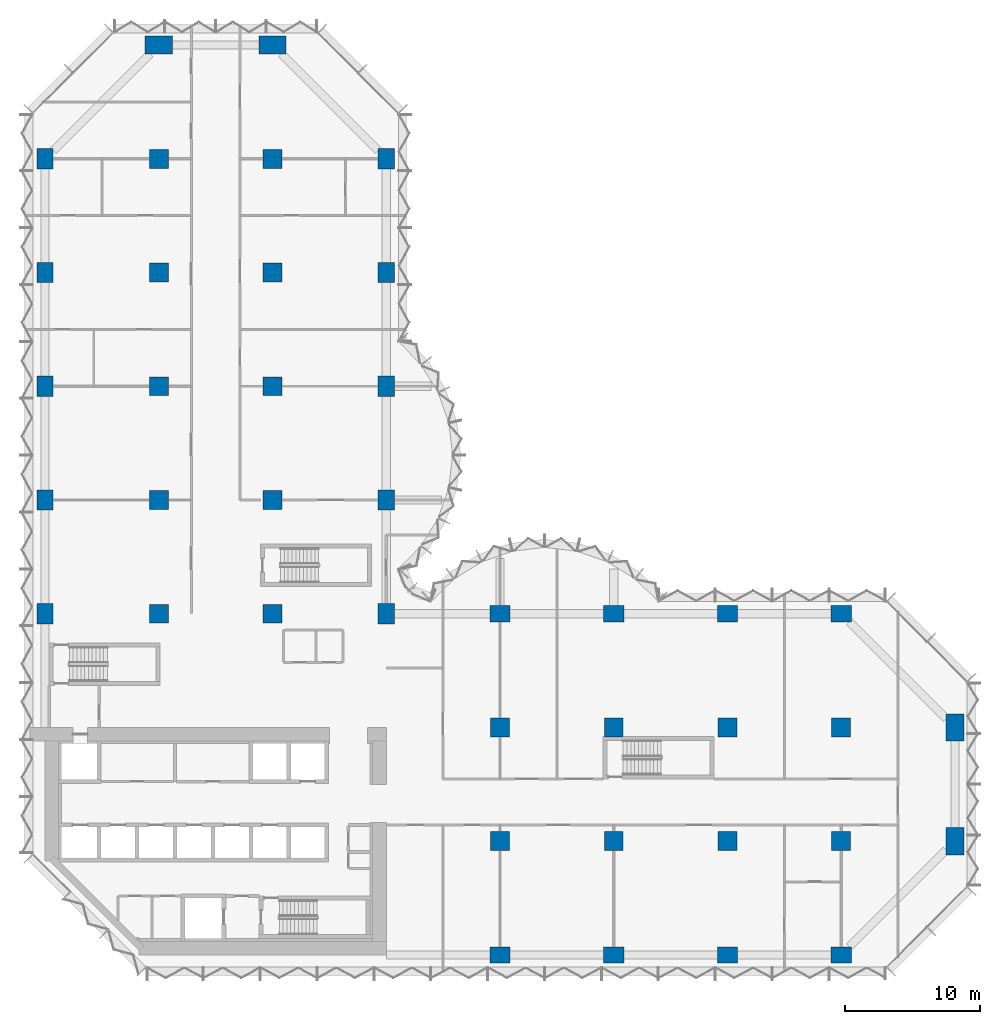
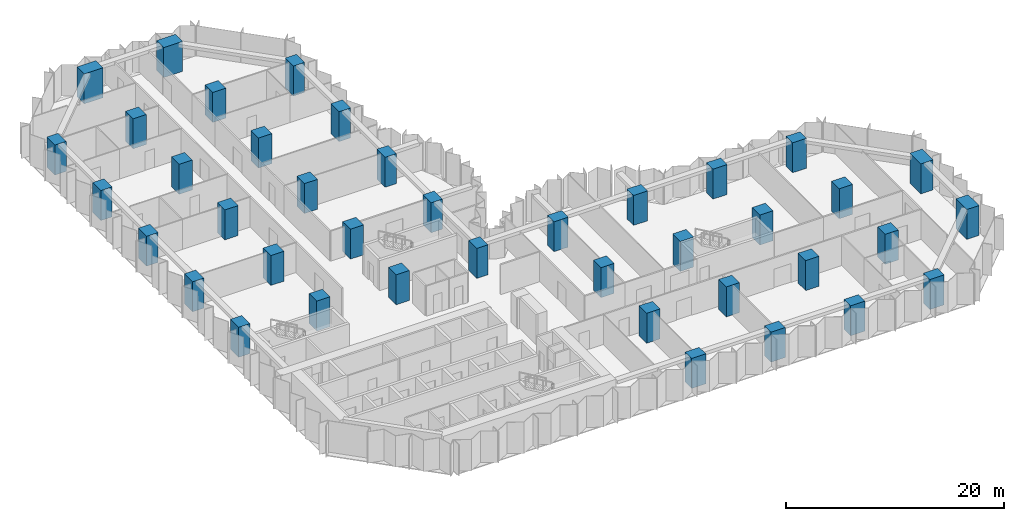
# One storey, part 1 of 15: 40 columns.
"""IFC4 building model written with IfcOpenShell, lengths in metres."""

from ifc_helpers import new_model, si_unit, direction, frame, origin, origin_2d, place, context, subcontext, project, spatial, rectangle, extrude, material, material_profile, profile_set, type_object, element, save


model = new_model("IFC4")

# Units and contexts
model_context = context("Model", 3, precision=1e-05, world=origin(), true_north=direction((0.0, 1.0)))
body_context = subcontext(model_context, "Body", "Model", "MODEL_VIEW")
ifc_project = project(units=[si_unit("LENGTHUNIT", "METRE"), si_unit("AREAUNIT", "SQUARE_METRE"), si_unit("VOLUMEUNIT", "CUBIC_METRE"), si_unit("PLANEANGLEUNIT", "RADIAN"), si_unit("MASSUNIT", "GRAM", prefix="KILO")], contexts=[model_context])

# Site, building, storey
site_placement = place(None, origin())
site = spatial("IfcSite", under=ifc_project, at=site_placement, CompositionType="ELEMENT")
building_placement = place(site_placement, origin())
building = spatial("IfcBuilding", under=site, at=building_placement, Name="Brevane Broadcast Tower", CompositionType="ELEMENT")
storey_placement = place(building_placement, frame((0.0, 0.0, 61.699951171875)))
storey = spatial("IfcBuildingStorey", under=building, at=storey_placement, Name="L13", CompositionType="ELEMENT", Elevation=61.699951171875)

# Columns
ifc_material = material(Name="Concrete C80/95", Category="concrete")
ifc_material_profile_1 = material_profile(ifc_material, rectangle(XDim=1.199951171875, YDim=1.5, at=origin_2d()), Name="RC 1200x1500")
ifc_profile_set_1 = profile_set([ifc_material_profile_1], Name="Concrete C80/95")
column_type_1 = type_object("IfcColumnType", Name="RC COLUMN EDGE 1200x1500 C80/95", PredefinedType="COLUMN", material=ifc_profile_set_1)
for number, where, z_axis, x_axis, name in (
    (1, (0.0, 25.199951171875, 0.0), (0.0, 0.0, 1.0), (1.0, 0.0, 0.0), "CE5 1/D"),
    (2, (0.0, 33.60009765625, 0.0), (0.0, 0.0, 1.0), (1.0, 0.0, 0.0), "CE5 1/E"),
    (3, (0.0, 42.0, 0.0), (0.0, 0.0, 1.0), (1.0, 0.0, 0.0), "CE5 1/F"),
    (4, (0.0, 50.39990234375, 0.0), (0.0, 0.0, 1.0), (1.0, 0.0, 0.0), "CE5 1/G"),
    (5, (0.0, 58.800048828125, 0.0), (0.0, 0.0, 1.0), (1.0, 0.0, 0.0), "CE5 1/H"),
    (6, (25.199951171875, 25.199951171875, 0.0), (0.0, 0.0, 1.0), (1.0, 0.0, 0.0), "CE5 4/D"),
    (7, (25.199951171875, 33.60009765625, 0.0), (0.0, 0.0, 1.0), (1.0, 0.0, 0.0), "CE5 4/E"),
    (8, (25.199951171875, 42.0, 0.0), (0.0, 0.0, 1.0), (1.0, 0.0, 0.0), "CE5 4/F"),
    (9, (25.199951171875, 50.39990234375, 0.0), (0.0, 0.0, 1.0), (1.0, 0.0, 0.0), "CE5 4/G"),
    (10, (25.199951171875, 58.800048828125, 0.0), (0.0, 0.0, 1.0), (1.0, 0.0, 0.0), "CE5 4/H"),
    (11, (33.60009765625, 0.0, 0.0), (0.0, 0.0, 1.0), (0.0, 1.0, 0.0), "CE5 5/A"),
    (12, (33.60009765625, 25.199951171875, 0.0), (0.0, 0.0, 1.0), (0.0, 1.0, 0.0), "CE5 5/D"),
    (13, (42.0, 0.0, 0.0), (0.0, 0.0, 1.0), (0.0, 1.0, 0.0), "CE5 6/A"),
    (14, (42.0, 25.199951171875, 0.0), (0.0, 0.0, 1.0), (0.0, 1.0, 0.0), "CE5 6/D"),
    (15, (50.39990234375, 0.0, 0.0), (0.0, 0.0, 1.0), (0.0, 1.0, 0.0), "CE5 7/A"),
    (16, (50.39990234375, 25.199951171875, 0.0), (0.0, 0.0, 1.0), (0.0, 1.0, 0.0), "CE5 7/D"),
    (17, (58.800048828125, 0.0, 0.0), (0.0, 0.0, 1.0), (0.0, 1.0, 0.0), "CE5 8/A"),
    (18, (58.800048828125, 25.199951171875, 0.0), (0.0, 0.0, 1.0), (0.0, 1.0, 0.0), "CE5 8/D"),
):
    element("IfcColumn", number, at=place(storey_placement, frame(where, z_axis=z_axis, x_axis=x_axis)), inside=storey, type_object=column_type_1, Name=name, PredefinedType="COLUMN", context=body_context, shape_type="SweptSolid", body=[
        extrude(rectangle(XDim=1.199951171875, YDim=1.5, at=origin_2d()), origin(), (0.0, 0.0, 1.0), 3.35009765625),
    ])
ifc_material_profile_2 = material_profile(ifc_material, rectangle(XDim=1.39990234375, YDim=1.39990234375, at=origin_2d()), Name="RC 1400x1400")
ifc_profile_set_2 = profile_set([ifc_material_profile_2], Name="Concrete C80/95")
column_type_2 = type_object("IfcColumnType", Name="RC COLUMN INTERIOR 1400x1400 C80/95", PredefinedType="COLUMN", material=ifc_profile_set_2)
for number, where, z_axis, x_axis, name in (
    (19, (8.39990234375, 25.199951171875, 0.0), (0.0, 0.0, 1.0), (1.0, 0.0, 0.0), "CI6 2/D"),
    (20, (8.39990234375, 33.60009765625, 0.0), (0.0, 0.0, 1.0), (1.0, 0.0, 0.0), "CI6 2/E"),
    (21, (8.39990234375, 42.0, 0.0), (0.0, 0.0, 1.0), (1.0, 0.0, 0.0), "CI6 2/F"),
    (22, (8.39990234375, 50.39990234375, 0.0), (0.0, 0.0, 1.0), (1.0, 0.0, 0.0), "CI6 2/G"),
    (23, (8.39990234375, 58.800048828125, 0.0), (0.0, 0.0, 1.0), (1.0, 0.0, 0.0), "CI6 2/H"),
    (24, (16.800048828125, 25.199951171875, 0.0), (0.0, 0.0, 1.0), (1.0, 0.0, 0.0), "CI6 3/D"),
    (25, (16.800048828125, 33.60009765625, 0.0), (0.0, 0.0, 1.0), (1.0, 0.0, 0.0), "CI6 3/E"),
    (26, (16.800048828125, 42.0, 0.0), (0.0, 0.0, 1.0), (1.0, 0.0, 0.0), "CI6 3/F"),
    (27, (16.800048828125, 50.39990234375, 0.0), (0.0, 0.0, 1.0), (1.0, 0.0, 0.0), "CI6 3/G"),
    (28, (16.800048828125, 58.800048828125, 0.0), (0.0, 0.0, 1.0), (1.0, 0.0, 0.0), "CI6 3/H"),
    (29, (33.60009765625, 8.39990234375, 0.0), (0.0, 0.0, 1.0), (1.0, 0.0, 0.0), "CI6 5/B"),
    (30, (33.60009765625, 16.800048828125, 0.0), (0.0, 0.0, 1.0), (1.0, 0.0, 0.0), "CI6 5/C"),
    (31, (42.0, 8.39990234375, 0.0), (0.0, 0.0, 1.0), (1.0, 0.0, 0.0), "CI6 6/B"),
    (32, (42.0, 16.800048828125, 0.0), (0.0, 0.0, 1.0), (1.0, 0.0, 0.0), "CI6 6/C"),
    (33, (50.39990234375, 8.39990234375, 0.0), (0.0, 0.0, 1.0), (1.0, 0.0, 0.0), "CI6 7/B"),
    (34, (50.39990234375, 16.800048828125, 0.0), (0.0, 0.0, 1.0), (1.0, 0.0, 0.0), "CI6 7/C"),
    (35, (58.800048828125, 8.39990234375, 0.0), (0.0, 0.0, 1.0), (1.0, 0.0, 0.0), "CI6 8/B"),
    (36, (58.800048828125, 16.800048828125, 0.0), (0.0, 0.0, 1.0), (1.0, 0.0, 0.0), "CI6 8/C"),
):
    element("IfcColumn", number, at=place(storey_placement, frame(where, z_axis=z_axis, x_axis=x_axis)), inside=storey, type_object=column_type_2, Name=name, PredefinedType="COLUMN", context=body_context, shape_type="SweptSolid", body=[
        extrude(rectangle(XDim=1.39990234375, YDim=1.39990234375, at=origin_2d()), origin(), (0.0, 0.0, 1.0), 3.35009765625),
    ])
ifc_material_profile_3 = material_profile(ifc_material, rectangle(XDim=1.300048828125, YDim=2.0, at=origin_2d()), Name="RC 1300x2000")
ifc_profile_set_3 = profile_set([ifc_material_profile_3], Name="Concrete C80/95")
column_type_3 = type_object("IfcColumnType", Name="RC COLUMN WING-END 1300x2000 C80/95", PredefinedType="COLUMN", material=ifc_profile_set_3)
for number, where, z_axis, x_axis, name in (
    (37, (8.39990234375, 67.199951171875, 0.0), (0.0, 0.0, 1.0), (0.0, 1.0, 0.0), "CW7 2/I"),
    (38, (16.800048828125, 67.199951171875, 0.0), (0.0, 0.0, 1.0), (0.0, 1.0, 0.0), "CW7 3/I"),
    (39, (67.199951171875, 8.39990234375, 0.0), (0.0, 0.0, 1.0), (1.0, 0.0, 0.0), "CW7 9/B"),
    (40, (67.199951171875, 16.800048828125, 0.0), (0.0, 0.0, 1.0), (1.0, 0.0, 0.0), "CW7 9/C"),
):
    element("IfcColumn", number, at=place(storey_placement, frame(where, z_axis=z_axis, x_axis=x_axis)), inside=storey, type_object=column_type_3, Name=name, PredefinedType="COLUMN", context=body_context, shape_type="SweptSolid", body=[
        extrude(rectangle(XDim=1.300048828125, YDim=2.0, at=origin_2d()), origin(), (0.0, 0.0, 1.0), 3.35009765625),
    ])

save(model, "model.ifc")
